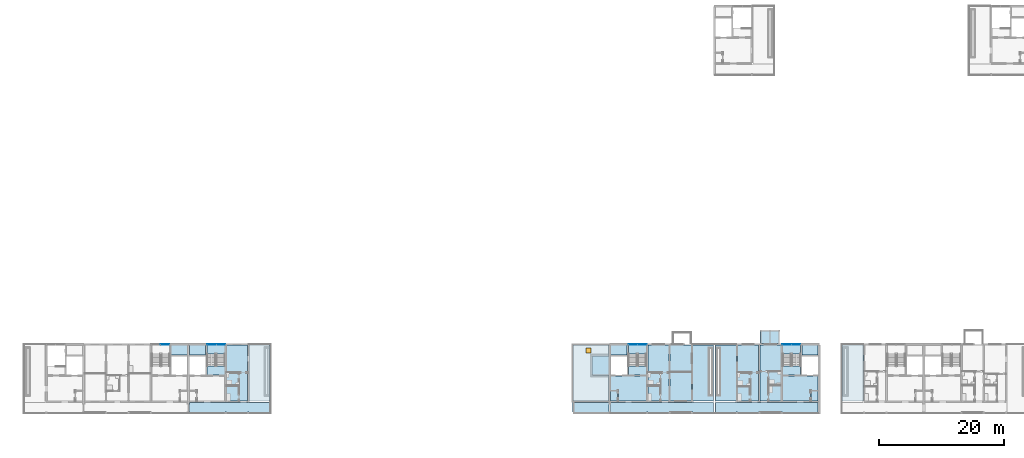
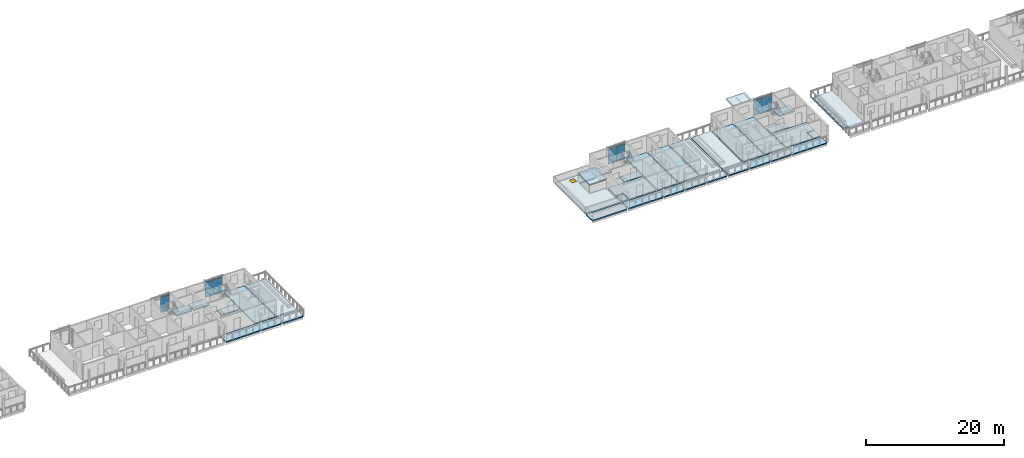
# One storey, part 24 of 55: 30 slabs, 14 plates, 1 door, 1 opening, 7 elements without a shape of their own.
"""IFC4 building model written with IfcOpenShell, lengths in metres."""

from ifc_helpers import new_model, si_unit, direction, frame, origin, origin_2d, place, context, subcontext, project, spatial, polyline, rectangle, outline, extrude, material, layer, layer_set, type_object, element, fill, aggregate, save


model = new_model("IFC4")

# Units and contexts
model_context = context("Model", 3, precision=1e-05, world=origin(), true_north=direction((0.0, 1.0)))
body_context = subcontext(model_context, "Body", "Model", "MODEL_VIEW")
ifc_project = project(units=[si_unit("LENGTHUNIT", "METRE"), si_unit("AREAUNIT", "SQUARE_METRE"), si_unit("VOLUMEUNIT", "CUBIC_METRE"), si_unit("PLANEANGLEUNIT", "RADIAN"), si_unit("MASSUNIT", "GRAM", prefix="KILO")], contexts=[model_context])

# Site, building, storey
site_placement = place(None, origin())
site = spatial("IfcSite", under=ifc_project, at=site_placement, CompositionType="ELEMENT")
building_placement = place(site_placement, origin())
building = spatial("IfcBuilding", under=site, at=building_placement, Name="Ridgestep Commons", CompositionType="ELEMENT")
storey_placement = place(building_placement, frame((0.0, 0.0, 36.0)))
storey = spatial("IfcBuildingStorey", under=building, at=storey_placement, Name="L12", CompositionType="ELEMENT", Elevation=36.0)

# Slabs
ifc_material_1 = material(Name="Precast concrete C40/50", Category="concrete")
ifc_layer_1 = layer(ifc_material_1, 0.199951171875)
ifc_layer_set_1 = layer_set([ifc_layer_1], Name="Gallery roof slab 200")
slab_type_1 = type_object("IfcSlabType", Name="Gallery roof slab 200", PredefinedType="ROOF", material=ifc_layer_set_1)
slab_1_placement = place(storey_placement, frame((0.0, 0.0, -0.199951171875)))
element("IfcSlab", 1, at=slab_1_placement, inside=storey, type_object=slab_type_1, Name="Gallery slab D1 L12", PredefinedType="ROOF", context=body_context, shape_type="SweptSolid", body=[
    extrude(outline(polyline([(157.60009765625, 13.550048828125), (157.60009765625, 12.0), (157.72509765625, 12.0), (157.72509765625, 11.75), (163.449951171875, 11.75), (163.449951171875, 13.550048828125), (157.60009765625, 13.550048828125)])), origin(), (0.0, 0.0, 1.0), 0.199951171875),
])
ifc_material_2 = material(Name="Precast concrete C40/50", Category="concrete")
ifc_layer_2 = layer(ifc_material_2, 0.199951171875)
ifc_layer_set_2 = layer_set([ifc_layer_2], Name="Gallery slab 200")
slab_type_2 = type_object("IfcSlabType", Name="Gallery slab 200", PredefinedType="FLOOR", material=ifc_layer_set_2)
slab_2_placement = place(storey_placement, frame((0.0, 0.0, -0.199951171875)))
element("IfcSlab", 2, at=slab_2_placement, inside=storey, type_object=slab_type_2, Name="Gallery slab A6 L12", PredefinedType="FLOOR", context=body_context, shape_type="SweptSolid", body=[
    extrude(outline(polyline([(109.199951171875, 13.550048828125), (96.14990234375, 13.550048828125), (96.14990234375, 11.75), (101.875, 11.75), (101.875, 12.0), (102.125, 12.0), (102.125, 11.75), (105.47509765625, 11.75), (105.47509765625, 12.0), (105.72509765625, 12.0), (105.72509765625, 11.75), (109.074951171875, 11.75), (109.074951171875, 12.0), (109.199951171875, 12.0), (109.199951171875, 13.550048828125)])), origin(), (0.0, 0.0, 1.0), 0.199951171875),
])
slab_3_placement = place(storey_placement, frame((0.0, 0.0, -0.199951171875)))
element("IfcSlab", 3, at=slab_3_placement, inside=storey, type_object=slab_type_2, Name="Gallery slab D2 L12", PredefinedType="FLOOR", context=body_context, shape_type="SweptSolid", body=[
    extrude(outline(polyline([(180.25, 13.550048828125), (163.75, 13.550048828125), (163.75, 11.75), (169.47509765625, 11.75), (169.47509765625, 12.0), (169.72509765625, 12.0), (169.72509765625, 11.75), (173.074951171875, 11.75), (173.074951171875, 12.0), (173.324951171875, 12.0), (173.324951171875, 11.75), (176.675048828125, 11.75), (176.675048828125, 12.0), (176.925048828125, 12.0), (176.925048828125, 11.75), (180.25, 11.75), (180.25, 13.550048828125)])), origin(), (0.0, 0.0, 1.0), 0.199951171875),
])
slab_4_placement = place(storey_placement, frame((0.0, 0.0, -0.199951171875)))
element("IfcSlab", 4, at=slab_4_placement, inside=storey, type_object=slab_type_2, Name="Gallery slab D3 L12", PredefinedType="FLOOR", context=body_context, shape_type="SweptSolid", body=[
    extrude(outline(polyline([(197.050048828125, 13.550048828125), (180.550048828125, 13.550048828125), (180.550048828125, 11.75), (183.875, 11.75), (183.875, 12.0), (184.125, 12.0), (184.125, 11.75), (187.47509765625, 11.75), (187.47509765625, 12.0), (187.72509765625, 12.0), (187.72509765625, 11.75), (191.074951171875, 11.75), (191.074951171875, 12.0), (191.324951171875, 12.0), (191.324951171875, 11.75), (197.050048828125, 11.75), (197.050048828125, 13.550048828125)])), origin(), (0.0, 0.0, 1.0), 0.199951171875),
])

# Curtain wall, plate
ifc_material_3 = material(Name="Aluminium 6063-T6 and glass", Category="aluminium")
curtain_wall_type = type_object("IfcCurtainWallType", Name="Curtain wall stair strip", PredefinedType="NOTDEFINED", material=ifc_material_3)
curtain_wall_1_placement = place(storey_placement, origin())
curtain_wall_1 = element("IfcCurtainWall", 5, at=curtain_wall_1_placement, inside=storey, type_object=curtain_wall_type, Name="Curtain wall A5C level 12", PredefinedType="NOTDEFINED")
ifc_material_4 = material(Name="Glass laminated 6/16/6 low-emissivity", Category="glass")
ifc_layer_3 = layer(ifc_material_4, 0.028076171875)
ifc_layer_set_3 = layer_set([ifc_layer_3], Name="Glazing panel 28")
plate_type_1 = type_object("IfcPlateType", Name="Glazing panel 28", PredefinedType="CURTAIN_PANEL", material=ifc_layer_set_3)
plate_1_placement = place(storey_placement, frame((92.253662109375, 22.830078125, 0.06005859375), z_axis=(0.0, 0.0, 1.0), x_axis=(1.0, 0.0, 0.0)))
plate_1 = element("IfcPlate", 6, at=plate_1_placement, type_object=plate_type_1, Name="CW1 panel 2.1", PredefinedType="CURTAIN_PANEL", context=body_context, shape_type="SweptSolid", body=[
    extrude(rectangle(XDim=1.422607421875, YDim=0.028076171875, at=origin_2d()), origin(), (0.0, 0.0, 1.0), 2.5),
])

# Curtain wall, plates
curtain_wall_2_placement = place(storey_placement, origin())
curtain_wall_2 = element("IfcCurtainWall", 7, at=curtain_wall_2_placement, inside=storey, type_object=curtain_wall_type, Name="Curtain wall A6C level 12", PredefinedType="NOTDEFINED")
plate_2_placement = place(storey_placement, frame((99.746337890625, 22.830078125, 0.06005859375), z_axis=(0.0, 0.0, 1.0), x_axis=(1.0, 0.0, 0.0)))
plate_2 = element("IfcPlate", 8, at=plate_2_placement, type_object=plate_type_1, Name="CW1 panel 1.1", PredefinedType="CURTAIN_PANEL", context=body_context, shape_type="SweptSolid", body=[
    extrude(rectangle(XDim=1.422607421875, YDim=0.028076171875, at=origin_2d()), origin(), (0.0, 0.0, 1.0), 2.5),
])
plate_3_placement = place(storey_placement, frame((101.228759765625, 22.830078125, 0.06005859375), z_axis=(0.0, 0.0, 1.0), x_axis=(1.0, 0.0, 0.0)))
plate_3 = element("IfcPlate", 9, at=plate_3_placement, type_object=plate_type_1, Name="CW1 panel 2.1", PredefinedType="CURTAIN_PANEL", context=body_context, shape_type="SweptSolid", body=[
    extrude(rectangle(XDim=1.422607421875, YDim=0.028076171875, at=origin_2d()), origin(), (0.0, 0.0, 1.0), 2.5),
])

curtain_wall_3_placement = place(storey_placement, origin())
curtain_wall_3 = element("IfcCurtainWall", 10, at=curtain_wall_3_placement, inside=storey, type_object=curtain_wall_type, Name="Curtain wall D2C level 12", PredefinedType="NOTDEFINED")
plate_4_placement = place(storey_placement, frame((167.34619140625, 22.830078125, 0.06005859375), z_axis=(0.0, 0.0, 1.0), x_axis=(1.0, 0.0, 0.0)))
plate_4 = element("IfcPlate", 11, at=plate_4_placement, type_object=plate_type_1, Name="CW1 panel 1.1", PredefinedType="CURTAIN_PANEL", context=body_context, shape_type="SweptSolid", body=[
    extrude(rectangle(XDim=1.422607421875, YDim=0.028076171875, at=origin_2d()), origin(), (0.0, 0.0, 1.0), 2.5),
])
plate_5_placement = place(storey_placement, frame((168.828857421875, 22.830078125, 0.06005859375), z_axis=(0.0, 0.0, 1.0), x_axis=(1.0, 0.0, 0.0)))
plate_5 = element("IfcPlate", 12, at=plate_5_placement, type_object=plate_type_1, Name="CW1 panel 2.1", PredefinedType="CURTAIN_PANEL", context=body_context, shape_type="SweptSolid", body=[
    extrude(rectangle(XDim=1.422607421875, YDim=0.028076171875, at=origin_2d()), origin(), (0.0, 0.0, 1.0), 2.5),
])

curtain_wall_4_placement = place(storey_placement, origin())
curtain_wall_4 = element("IfcCurtainWall", 13, at=curtain_wall_4_placement, inside=storey, type_object=curtain_wall_type, Name="Curtain wall D3C level 12", PredefinedType="NOTDEFINED")
plate_6_placement = place(storey_placement, frame((191.97119140625, 22.830078125, 0.06005859375), z_axis=(0.0, 0.0, 1.0), x_axis=(1.0, 0.0, 0.0)))
plate_6 = element("IfcPlate", 14, at=plate_6_placement, type_object=plate_type_1, Name="CW1 panel 1.1", PredefinedType="CURTAIN_PANEL", context=body_context, shape_type="SweptSolid", body=[
    extrude(rectangle(XDim=1.422607421875, YDim=0.028076171875, at=origin_2d()), origin(), (0.0, 0.0, 1.0), 2.5),
])
plate_7_placement = place(storey_placement, frame((193.453857421875, 22.830078125, 0.06005859375), z_axis=(0.0, 0.0, 1.0), x_axis=(1.0, 0.0, 0.0)))
plate_7 = element("IfcPlate", 15, at=plate_7_placement, type_object=plate_type_1, Name="CW1 panel 2.1", PredefinedType="CURTAIN_PANEL", context=body_context, shape_type="SweptSolid", body=[
    extrude(rectangle(XDim=1.422607421875, YDim=0.028076171875, at=origin_2d()), origin(), (0.0, 0.0, 1.0), 2.5),
])

# Slabs
ifc_material_5 = material(Name="Precast concrete C50/60", Category="concrete")
ifc_layer_4 = layer(ifc_material_5, 0.199951171875)
ifc_layer_set_4 = layer_set([ifc_layer_4], Name="Hollow-core plank 200")
slab_type_3 = type_object("IfcSlabType", Name="Hollow-core plank 200", PredefinedType="FLOOR", material=ifc_layer_set_4)
slab_5_placement = place(storey_placement, frame((0.0, 0.0, -0.199951171875)))
element("IfcSlab", 16, at=slab_5_placement, inside=storey, type_object=slab_type_3, Name="Floor plank A6T3 L12", PredefinedType="FLOOR", context=body_context, shape_type="SweptSolid", body=[
    extrude(outline(polyline([(105.5, 13.75), (105.5, 22.75), (102.125, 22.75), (102.125, 13.75), (105.5, 13.75)])), origin(), (0.0, 0.0, 1.0), 0.199951171875),
])
slab_6_placement = place(storey_placement, frame((0.0, 0.0, -0.199951171875)))
element("IfcSlab", 17, at=slab_6_placement, inside=storey, type_object=slab_type_3, Name="Floor plank D2T3 L12", PredefinedType="FLOOR", context=body_context, shape_type="SweptSolid", body=[
    extrude(outline(polyline([(173.10009765625, 13.75), (173.10009765625, 22.75), (169.72509765625, 22.75), (169.72509765625, 13.75), (173.10009765625, 13.75)])), origin(), (0.0, 0.0, 1.0), 0.199951171875),
])
slab_7_placement = place(storey_placement, frame((0.0, 0.0, -0.199951171875)))
element("IfcSlab", 18, at=slab_7_placement, inside=storey, type_object=slab_type_3, Name="Floor plank D2T2 L12", PredefinedType="FLOOR", context=body_context, shape_type="SweptSolid", body=[
    extrude(outline(polyline([(176.699951171875, 13.75), (176.699951171875, 22.75), (173.300048828125, 22.75), (173.300048828125, 13.75), (176.699951171875, 13.75)])), origin(), (0.0, 0.0, 1.0), 0.199951171875),
])
slab_8_placement = place(storey_placement, frame((0.0, 0.0, -0.199951171875)))
element("IfcSlab", 19, at=slab_8_placement, inside=storey, type_object=slab_type_3, Name="Floor plank D3T2 L12", PredefinedType="FLOOR", context=body_context, shape_type="SweptSolid", body=[
    extrude(outline(polyline([(187.5, 13.75), (187.5, 22.75), (184.10009765625, 22.75), (184.10009765625, 13.75), (187.5, 13.75)])), origin(), (0.0, 0.0, 1.0), 0.199951171875),
])
slab_9_placement = place(storey_placement, frame((0.0, 0.0, -0.199951171875)))
element("IfcSlab", 20, at=slab_9_placement, inside=storey, type_object=slab_type_3, Name="Floor plank D3T3 L12", PredefinedType="FLOOR", context=body_context, shape_type="SweptSolid", body=[
    extrude(outline(polyline([(191.074951171875, 13.75), (191.074951171875, 22.75), (187.699951171875, 22.75), (187.699951171875, 13.75), (191.074951171875, 13.75)])), origin(), (0.0, 0.0, 1.0), 0.199951171875),
])
ifc_material_6 = material(Name="Precast concrete C50/60", Category="concrete")
ifc_layer_5 = layer(ifc_material_6, 0.25)
ifc_layer_set_5 = layer_set([ifc_layer_5], Name="Hollow-core plank 250")
slab_type_4 = type_object("IfcSlabType", Name="Hollow-core plank 250", PredefinedType="FLOOR", material=ifc_layer_set_5)
slab_10_placement = place(storey_placement, frame((0.0, 0.0, -0.25)))
element("IfcSlab", 21, at=slab_10_placement, inside=storey, type_object=slab_type_4, Name="Floor plank A5C L12", PredefinedType="FLOOR", context=body_context, shape_type="SweptSolid", body=[
    extrude(outline(polyline([(95.85009765625, 21.14990234375), (95.85009765625, 22.75), (93.22509765625, 22.75), (93.22509765625, 21.14990234375), (95.85009765625, 21.14990234375)])), origin(), (0.0, 0.0, 1.0), 0.25),
])
slab_11_placement = place(storey_placement, frame((0.0, 0.0, -0.25)))
element("IfcSlab", 22, at=slab_11_placement, inside=storey, type_object=slab_type_4, Name="Floor plank A6C L12", PredefinedType="FLOOR", context=body_context, shape_type="SweptSolid", body=[
    extrude(outline(polyline([(98.77490234375, 22.75), (96.14990234375, 22.75), (96.14990234375, 21.14990234375), (98.77490234375, 21.14990234375), (98.77490234375, 22.75)])), origin(), (0.0, 0.0, 1.0), 0.25),
])
slab_12_placement = place(storey_placement, frame((0.0, 0.0, -0.25)))
element("IfcSlab", 23, at=slab_12_placement, inside=storey, type_object=slab_type_4, Name="Floor plank A6C L12", PredefinedType="FLOOR", context=body_context, shape_type="SweptSolid", body=[
    extrude(outline(polyline([(101.875, 17.949951171875), (101.875, 19.35009765625), (98.97509765625, 19.35009765625), (98.97509765625, 17.949951171875), (101.875, 17.949951171875)])), origin(), (0.0, 0.0, 1.0), 0.25),
])
slab_13_placement = place(storey_placement, frame((0.0, 0.0, -0.25)))
element("IfcSlab", 24, at=slab_13_placement, inside=storey, type_object=slab_type_4, Name="Floor plank D2C L12", PredefinedType="FLOOR", context=body_context, shape_type="SweptSolid", body=[
    extrude(outline(polyline([(165.0, 13.75), (169.47509765625, 13.75), (169.47509765625, 17.75), (163.75, 17.75), (163.75, 15.469970703125), (164.8798828125, 15.469970703125), (165.0, 15.469970703125), (165.0, 13.75)])), origin(), (0.0, 0.0, 1.0), 0.25),
])
slab_14_placement = place(storey_placement, frame((0.0, 0.0, -0.25)))
element("IfcSlab", 25, at=slab_14_placement, inside=storey, type_object=slab_type_4, Name="Floor plank D2C L12", PredefinedType="FLOOR", context=body_context, shape_type="SweptSolid", body=[
    extrude(outline(polyline([(166.375, 22.75), (163.75, 22.75), (163.75, 21.14990234375), (166.375, 21.14990234375), (166.375, 22.75)])), origin(), (0.0, 0.0, 1.0), 0.25),
])
slab_15_placement = place(storey_placement, frame((0.0, 0.0, -0.25)))
element("IfcSlab", 26, at=slab_15_placement, inside=storey, type_object=slab_type_4, Name="Floor plank D2C L12", PredefinedType="FLOOR", context=body_context, shape_type="SweptSolid", body=[
    extrude(outline(polyline([(169.47509765625, 17.949951171875), (169.47509765625, 19.35009765625), (166.574951171875, 19.35009765625), (166.574951171875, 17.949951171875), (169.47509765625, 17.949951171875)])), origin(), (0.0, 0.0, 1.0), 0.25),
])
slab_16_placement = place(storey_placement, frame((0.0, 0.0, -0.25)))
element("IfcSlab", 27, at=slab_16_placement, inside=storey, type_object=slab_type_4, Name="Floor plank D2C L12", PredefinedType="FLOOR", context=body_context, shape_type="SweptSolid", body=[
    extrude(outline(polyline([(164.8798828125, 15.35009765625), (163.75, 15.35009765625), (163.75, 13.75), (164.8798828125, 13.75), (164.8798828125, 15.35009765625)])), origin(), (0.0, 0.0, 1.0), 0.25),
])
slab_17_placement = place(storey_placement, frame((0.0, 0.0, -0.25)))
element("IfcSlab", 28, at=slab_17_placement, inside=storey, type_object=slab_type_4, Name="Floor plank D3C L12", PredefinedType="FLOOR", context=body_context, shape_type="SweptSolid", body=[
    extrude(outline(polyline([(195.919921875, 15.469970703125), (197.050048828125, 15.469970703125), (197.050048828125, 17.75), (191.324951171875, 17.75), (191.324951171875, 13.75), (195.800048828125, 13.75), (195.800048828125, 15.469970703125), (195.919921875, 15.469970703125)])), origin(), (0.0, 0.0, 1.0), 0.25),
])
slab_18_placement = place(storey_placement, frame((0.0, 0.0, -0.25)))
element("IfcSlab", 29, at=slab_18_placement, inside=storey, type_object=slab_type_4, Name="Floor plank D3C L12", PredefinedType="FLOOR", context=body_context, shape_type="SweptSolid", body=[
    extrude(outline(polyline([(197.050048828125, 21.14990234375), (197.050048828125, 22.75), (194.425048828125, 22.75), (194.425048828125, 21.14990234375), (197.050048828125, 21.14990234375)])), origin(), (0.0, 0.0, 1.0), 0.25),
])
slab_19_placement = place(storey_placement, frame((0.0, 0.0, -0.25)))
element("IfcSlab", 30, at=slab_19_placement, inside=storey, type_object=slab_type_4, Name="Floor plank D3C L12", PredefinedType="FLOOR", context=body_context, shape_type="SweptSolid", body=[
    extrude(outline(polyline([(194.22509765625, 17.949951171875), (194.22509765625, 19.35009765625), (191.324951171875, 19.35009765625), (191.324951171875, 17.949951171875), (194.22509765625, 17.949951171875)])), origin(), (0.0, 0.0, 1.0), 0.25),
])
slab_20_placement = place(storey_placement, frame((0.0, 0.0, -0.25)))
element("IfcSlab", 31, at=slab_20_placement, inside=storey, type_object=slab_type_4, Name="Floor plank D3C L12", PredefinedType="FLOOR", context=body_context, shape_type="SweptSolid", body=[
    extrude(outline(polyline([(195.919921875, 13.75), (197.050048828125, 13.75), (197.050048828125, 15.35009765625), (195.919921875, 15.35009765625), (195.919921875, 13.75)])), origin(), (0.0, 0.0, 1.0), 0.25),
])
ifc_material_7 = material(Name="Precast concrete C50/60", Category="concrete")
ifc_layer_6 = layer(ifc_material_7, 0.199951171875)
ifc_layer_set_6 = layer_set([ifc_layer_6], Name="Overrun roof 200")
slab_type_5 = type_object("IfcSlabType", Name="Overrun roof 200", PredefinedType="ROOF", material=ifc_layer_set_6)
slab_21_placement = place(storey_placement, frame((0.0, 0.0, 1.5)))
element("IfcSlab", 32, at=slab_21_placement, inside=storey, type_object=slab_type_5, Name="Lift overrun roof D1C", PredefinedType="ROOF", context=body_context, shape_type="SweptSolid", body=[
    extrude(outline(polyline([(160.625, 17.75), (163.449951171875, 17.75), (163.449951171875, 21.14990234375), (160.625, 21.14990234375), (160.625, 17.75)])), origin(), (0.0, 0.0, 1.0), 0.199951171875),
])
ifc_material_8 = material(Name="Precast concrete C50/60", Category="concrete")
ifc_layer_7 = layer(ifc_material_8, 0.25)
ifc_layer_set_7 = layer_set([ifc_layer_7], Name="Roof slab 250")
slab_type_6 = type_object("IfcSlabType", Name="Roof slab 250", PredefinedType="ROOF", material=ifc_layer_set_7)
slab_22_placement = place(storey_placement, frame((0.0, 0.0, -0.25)))
element("IfcSlab", 33, at=slab_22_placement, inside=storey, type_object=slab_type_6, Name="Terrace slab A6T2", PredefinedType="ROOF", context=body_context, shape_type="SweptSolid", body=[
    extrude(outline(polyline([(109.10009765625, 13.75), (109.10009765625, 22.75), (105.699951171875, 22.75), (105.699951171875, 13.75), (109.10009765625, 13.75)])), origin(), (0.0, 0.0, 1.0), 0.25),
])

# Slab, opening, door
slab_23_placement = place(storey_placement, frame((0.0, 0.0, -0.25)))
slab_23 = element("IfcSlab", 34, at=slab_23_placement, inside=storey, type_object=slab_type_6, Name="Roof slab D1C", PredefinedType="ROOF", context=body_context, shape_type="SweptSolid", body=[
    extrude(outline(polyline([(163.449951171875, 13.75), (163.449951171875, 17.949951171875), (160.824951171875, 17.949951171875), (160.824951171875, 20.949951171875), (163.449951171875, 20.949951171875), (163.449951171875, 22.75), (157.72509765625, 22.75), (157.72509765625, 13.75), (163.449951171875, 13.75)])), origin(), (0.0, 0.0, 1.0), 0.25),
])
opening_placement = place(slab_23_placement, frame((160.22509765625, 21.85009765625, 0.0)))
opening = element("IfcOpeningElement", 35, at=opening_placement, cuts=slab_23, Name="Opening D1C/RF/1", PredefinedType="OPENING", context=body_context, shape_type="SweptSolid", body=[
    extrude(rectangle(XDim=0.800048828125, YDim=0.800048828125, at=origin_2d()), origin(), (0.0, 0.0, 1.0), 0.25),
])
ifc_material_9 = material(Name="Steel", Category="steel")
door_type = type_object("IfcDoorType", Name="Ladder roof hatch 800 x 800", OperationType="SINGLE_SWING_LEFT", PredefinedType="TRAPDOOR", material=ifc_material_9)
door_placement = place(opening_placement, frame((0.0, 0.0, 0.199951171875)))
door = element("IfcDoor", 36, at=door_placement, inside=storey, type_object=door_type, Name="Roof hatch D1C", OperationType="SINGLE_SWING_LEFT", OverallHeight=0.800048828125, OverallWidth=0.800048828125, PredefinedType="TRAPDOOR", context=body_context, shape_type="SweptSolid", body=[
    extrude(rectangle(XDim=0.800048828125, YDim=0.800048828125, at=origin_2d()), origin(), (0.0, 0.0, 1.0), 0.050048828125),
])
fill(opening, door)

# Slabs
slab_24_placement = place(storey_placement, frame((0.0, 0.0, -0.25)))
element("IfcSlab", 37, at=slab_24_placement, inside=storey, type_object=slab_type_6, Name="Terrace slab D2T1", PredefinedType="ROOF", context=body_context, shape_type="SweptSolid", body=[
    extrude(outline(polyline([(180.25, 13.75), (180.25, 22.75), (176.89990234375, 22.75), (176.89990234375, 13.75), (180.25, 13.75)])), origin(), (0.0, 0.0, 1.0), 0.25),
])
slab_25_placement = place(storey_placement, frame((0.0, 0.0, -0.25)))
element("IfcSlab", 38, at=slab_25_placement, inside=storey, type_object=slab_type_6, Name="Terrace slab D3T1", PredefinedType="ROOF", context=body_context, shape_type="SweptSolid", body=[
    extrude(outline(polyline([(183.89990234375, 13.75), (183.89990234375, 22.75), (180.550048828125, 22.75), (180.550048828125, 13.75), (183.89990234375, 13.75)])), origin(), (0.0, 0.0, 1.0), 0.25),
])
slab_26_placement = place(storey_placement, frame((0.0, 0.0, -0.25)))
element("IfcSlab", 39, at=slab_26_placement, inside=storey, type_object=slab_type_6, Name="Terrace slab D4T2", PredefinedType="ROOF", context=body_context, shape_type="SweptSolid", body=[
    extrude(outline(polyline([(204.300048828125, 13.75), (204.300048828125, 22.75), (200.89990234375, 22.75), (200.89990234375, 13.75), (204.300048828125, 13.75)])), origin(), (0.0, 0.0, 1.0), 0.25),
])

# Plate
ifc_material_10 = material(Name="Aluminium 6063-T6 and mineral wool", Category="aluminium")
ifc_layer_8 = layer(ifc_material_10, 0.0400390625)
ifc_layer_set_8 = layer_set([ifc_layer_8], Name="Spandrel panel 40")
plate_type_2 = type_object("IfcPlateType", Name="Spandrel panel 40", PredefinedType="CURTAIN_PANEL", material=ifc_layer_set_8)
plate_8_placement = place(storey_placement, frame((92.253662109375, 22.830078125, 2.6201171875), z_axis=(0.0, 0.0, 1.0), x_axis=(1.0, 0.0, 0.0)))
plate_8 = element("IfcPlate", 40, at=plate_8_placement, type_object=plate_type_2, Name="CW1 panel 2.2", PredefinedType="CURTAIN_PANEL", context=body_context, shape_type="SweptSolid", body=[
    extrude(rectangle(XDim=1.422607421875, YDim=0.0400390625, at=origin_2d()), origin(), (0.0, 0.0, 1.0), 0.320068359375),
])

aggregate(curtain_wall_1, [plate_1, plate_8])

plate_9_placement = place(storey_placement, frame((99.746337890625, 22.830078125, 2.6201171875), z_axis=(0.0, 0.0, 1.0), x_axis=(1.0, 0.0, 0.0)))
plate_9 = element("IfcPlate", 41, at=plate_9_placement, type_object=plate_type_2, Name="CW1 panel 1.2", PredefinedType="CURTAIN_PANEL", context=body_context, shape_type="SweptSolid", body=[
    extrude(rectangle(XDim=1.422607421875, YDim=0.0400390625, at=origin_2d()), origin(), (0.0, 0.0, 1.0), 0.320068359375),
])

plate_10_placement = place(storey_placement, frame((101.228759765625, 22.830078125, 2.6201171875), z_axis=(0.0, 0.0, 1.0), x_axis=(1.0, 0.0, 0.0)))
plate_10 = element("IfcPlate", 42, at=plate_10_placement, type_object=plate_type_2, Name="CW1 panel 2.2", PredefinedType="CURTAIN_PANEL", context=body_context, shape_type="SweptSolid", body=[
    extrude(rectangle(XDim=1.422607421875, YDim=0.0400390625, at=origin_2d()), origin(), (0.0, 0.0, 1.0), 0.320068359375),
])

aggregate(curtain_wall_2, [plate_2, plate_9, plate_3, plate_10])

plate_11_placement = place(storey_placement, frame((167.34619140625, 22.830078125, 2.6201171875), z_axis=(0.0, 0.0, 1.0), x_axis=(1.0, 0.0, 0.0)))
plate_11 = element("IfcPlate", 43, at=plate_11_placement, type_object=plate_type_2, Name="CW1 panel 1.2", PredefinedType="CURTAIN_PANEL", context=body_context, shape_type="SweptSolid", body=[
    extrude(rectangle(XDim=1.422607421875, YDim=0.0400390625, at=origin_2d()), origin(), (0.0, 0.0, 1.0), 0.320068359375),
])

plate_12_placement = place(storey_placement, frame((168.828857421875, 22.830078125, 2.6201171875), z_axis=(0.0, 0.0, 1.0), x_axis=(1.0, 0.0, 0.0)))
plate_12 = element("IfcPlate", 44, at=plate_12_placement, type_object=plate_type_2, Name="CW1 panel 2.2", PredefinedType="CURTAIN_PANEL", context=body_context, shape_type="SweptSolid", body=[
    extrude(rectangle(XDim=1.422607421875, YDim=0.0400390625, at=origin_2d()), origin(), (0.0, 0.0, 1.0), 0.320068359375),
])

aggregate(curtain_wall_3, [plate_4, plate_11, plate_5, plate_12])

plate_13_placement = place(storey_placement, frame((191.97119140625, 22.830078125, 2.6201171875), z_axis=(0.0, 0.0, 1.0), x_axis=(1.0, 0.0, 0.0)))
plate_13 = element("IfcPlate", 45, at=plate_13_placement, type_object=plate_type_2, Name="CW1 panel 1.2", PredefinedType="CURTAIN_PANEL", context=body_context, shape_type="SweptSolid", body=[
    extrude(rectangle(XDim=1.422607421875, YDim=0.0400390625, at=origin_2d()), origin(), (0.0, 0.0, 1.0), 0.320068359375),
])

plate_14_placement = place(storey_placement, frame((193.453857421875, 22.830078125, 2.6201171875), z_axis=(0.0, 0.0, 1.0), x_axis=(1.0, 0.0, 0.0)))
plate_14 = element("IfcPlate", 46, at=plate_14_placement, type_object=plate_type_2, Name="CW1 panel 2.2", PredefinedType="CURTAIN_PANEL", context=body_context, shape_type="SweptSolid", body=[
    extrude(rectangle(XDim=1.422607421875, YDim=0.0400390625, at=origin_2d()), origin(), (0.0, 0.0, 1.0), 0.320068359375),
])

aggregate(curtain_wall_4, [plate_6, plate_13, plate_7, plate_14])

# Stair, slab
ifc_material_11 = material(Name="Precast concrete C40/50", Category="concrete")
stair_type = type_object("IfcStairType", Name="Escape stair 1400", PredefinedType="HALF_TURN_STAIR", material=ifc_material_11)
stair_1_placement = place(storey_placement, origin())
stair_1 = element("IfcStair", 47, at=stair_1_placement, inside=storey, type_object=stair_type, Name="L12 Escape stair A6C", PredefinedType="HALF_TURN_STAIR")
ifc_material_12 = material(Name="Precast concrete C40/50", Category="concrete")
ifc_layer_9 = layer(ifc_material_12, 0.199951171875)
ifc_layer_set_9 = layer_set([ifc_layer_9], Name="Stair landing 200")
slab_type_7 = type_object("IfcSlabType", Name="Stair landing 200", PredefinedType="LANDING", material=ifc_layer_set_9)
slab_27_placement = place(storey_placement, frame((0.0, 0.0, 1.300048828125)))
slab_27 = element("IfcSlab", 48, at=slab_27_placement, type_object=slab_type_7, Name="A6C landing 1", PredefinedType="LANDING", context=body_context, shape_type="SweptSolid", body=[
    extrude(outline(polyline([(101.875, 21.31005859375), (101.875, 22.75), (98.97509765625, 22.75), (98.97509765625, 21.31005859375), (101.875, 21.31005859375)])), origin(), (0.0, 0.0, 1.0), 0.199951171875),
])
aggregate(stair_1, [slab_27])

stair_2_placement = place(storey_placement, origin())
stair_2 = element("IfcStair", 49, at=stair_2_placement, inside=storey, type_object=stair_type, Name="L12 Escape stair D2C", PredefinedType="HALF_TURN_STAIR")
slab_28_placement = place(storey_placement, frame((0.0, 0.0, 1.300048828125)))
slab_28 = element("IfcSlab", 50, at=slab_28_placement, type_object=slab_type_7, Name="D2C landing 1", PredefinedType="LANDING", context=body_context, shape_type="SweptSolid", body=[
    extrude(outline(polyline([(169.47509765625, 21.31005859375), (169.47509765625, 22.75), (166.574951171875, 22.75), (166.574951171875, 21.31005859375), (169.47509765625, 21.31005859375)])), origin(), (0.0, 0.0, 1.0), 0.199951171875),
])
aggregate(stair_2, [slab_28])

stair_3_placement = place(storey_placement, origin())
stair_3 = element("IfcStair", 51, at=stair_3_placement, inside=storey, type_object=stair_type, Name="L12 Escape stair D3C", PredefinedType="HALF_TURN_STAIR")
slab_29_placement = place(storey_placement, frame((0.0, 0.0, 1.300048828125)))
slab_29 = element("IfcSlab", 52, at=slab_29_placement, type_object=slab_type_7, Name="D3C landing 1", PredefinedType="LANDING", context=body_context, shape_type="SweptSolid", body=[
    extrude(outline(polyline([(194.22509765625, 21.31005859375), (194.22509765625, 22.75), (191.324951171875, 22.75), (191.324951171875, 21.31005859375), (194.22509765625, 21.31005859375)])), origin(), (0.0, 0.0, 1.0), 0.199951171875),
])
aggregate(stair_3, [slab_29])

# Slab
ifc_material_13 = material(Name="Weathering steel S355J2W", Category="steel")
ifc_layer_10 = layer(ifc_material_13, 0.010009765625)
ifc_layer_set_10 = layer_set([ifc_layer_10], Name="Tray 3.2 x 2.1")
slab_type_8 = type_object("IfcSlabType", Name="Tray 3.2 x 2.1", PredefinedType="FLOOR", material=ifc_layer_set_10)
slab_30_placement = place(storey_placement, frame((0.0, 0.0, 2.989990234375)))
element("IfcSlab", 53, at=slab_30_placement, inside=storey, type_object=slab_type_8, Name="Tray deck D3T3-13", PredefinedType="FLOOR", context=body_context, shape_type="SweptSolid", body=[
    extrude(outline(polyline([(187.72998046875, 23.0), (190.8701171875, 23.0), (190.8701171875, 25.10009765625), (187.72998046875, 25.10009765625), (187.72998046875, 23.0)])), origin(), (0.0, 0.0, 1.0), 0.010009765625),
])

save(model, "model.ifc")
